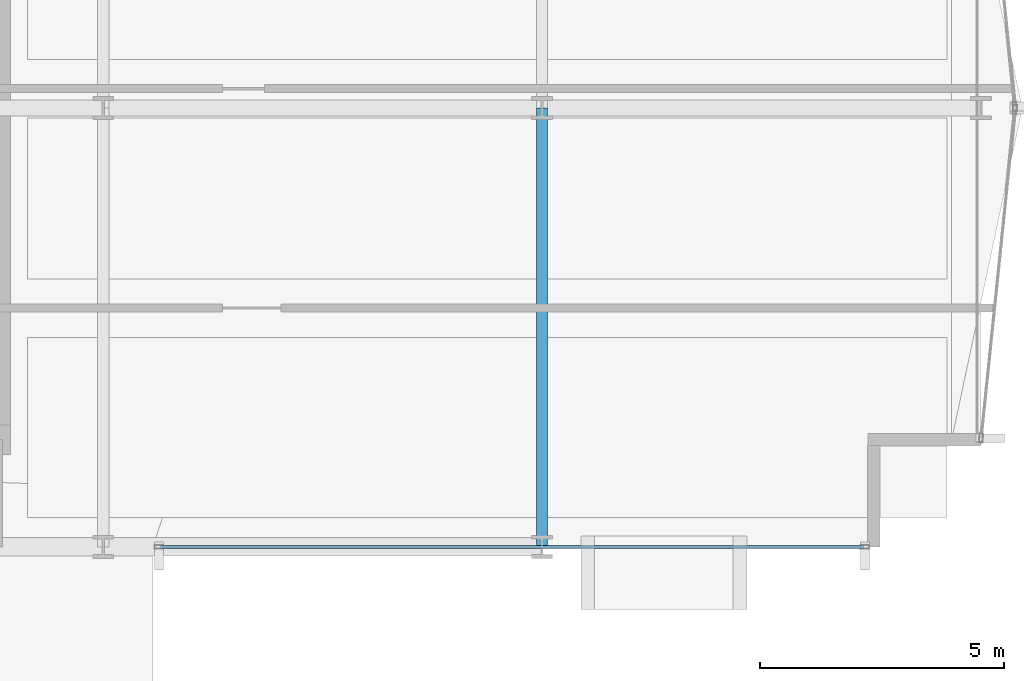
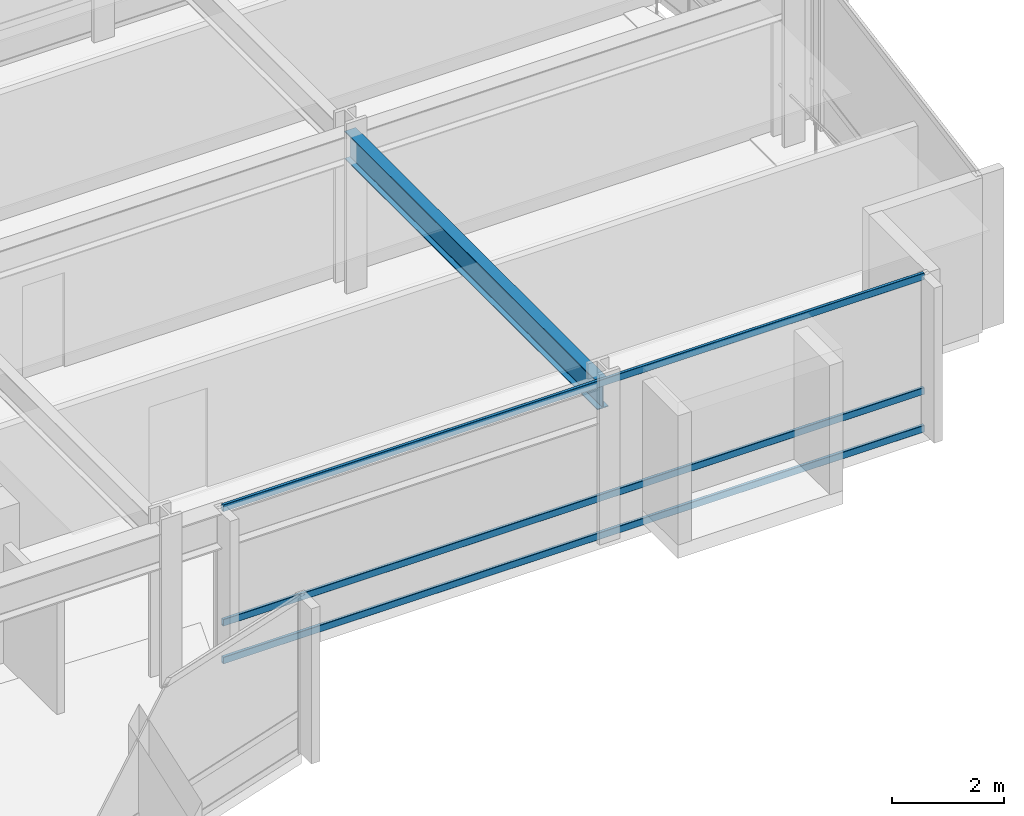
# One storey, part 13 of 35: 3 members, 1 beam, 1 element without a shape of its own.
"""IFC4 building model written with IfcOpenShell, lengths in metres."""

from ifc_helpers import new_model, si_unit, direction, frame, origin, origin_2d, place, context, subcontext, project, spatial, hollow_rectangle, i_section, extrude, material, layer, layer_set, material_profile, profile_set, type_object, element, aggregate, save


model = new_model("IFC4")

# Units and contexts
model_context = context("Model", 3, precision=1e-05, world=origin(), true_north=direction((0.0, 1.0)))
body_context = subcontext(model_context, "Body", "Model", "MODEL_VIEW")
ifc_project = project(units=[si_unit("LENGTHUNIT", "METRE"), si_unit("AREAUNIT", "SQUARE_METRE"), si_unit("VOLUMEUNIT", "CUBIC_METRE"), si_unit("PLANEANGLEUNIT", "RADIAN"), si_unit("MASSUNIT", "GRAM", prefix="KILO")], contexts=[model_context])

# Site, building, storey
site_placement = place(None, origin())
site = spatial("IfcSite", under=ifc_project, at=site_placement, CompositionType="ELEMENT")
building_placement = place(site_placement, origin())
building = spatial("IfcBuilding", under=site, at=building_placement, Name="Solvaryn Broadcast Tower", CompositionType="ELEMENT")
storey_placement = place(building_placement, frame((0.0, 0.0, 80.39990234375)))
storey = spatial("IfcBuildingStorey", under=building, at=storey_placement, Name="L19", CompositionType="ELEMENT", Elevation=80.39990234375)

# Beam
ifc_material_1 = material(Name="Steel ASTM A992 Grade 50", Category="steel")
ifc_material_profile_1 = material_profile(ifc_material_1, i_section(OverallWidth=0.22802734375, OverallDepth=0.60791015625, WebThickness=0.01123046875, FlangeThickness=0.017333984375, FilletRadius=0.014892578125, at=origin_2d()))
ifc_profile_set_1 = profile_set([ifc_material_profile_1], Name="Steel ASTM A992 Grade 50")
beam_type = type_object("IfcBeamType", Name="BM-B2-W24X76", PredefinedType="BEAM", material=ifc_profile_set_1)
beam_placement = place(storey_placement, frame((54.0, 9.0, 3.066162109375), z_axis=(0.0, 1.0, 0.0), x_axis=(-1.0, 0.0, 0.0)))
element("IfcBeam", 1, at=beam_placement, inside=storey, type_object=beam_type, Name="L19 Primary Beam Y (9-18 @ X=54)", PredefinedType="BEAM", context=body_context, shape_type="SweptSolid", body=[
    extrude(i_section(OverallWidth=0.22802734375, OverallDepth=0.60791015625, WebThickness=0.01123046875, FlangeThickness=0.017333984375, FilletRadius=0.014892578125, at=origin_2d()), origin(), (0.0, 0.0, 1.0), 9.0),
])

# Curtain wall, members
ifc_material_2 = material(Name="Aluminium and Terracotta Unitised Curtain Wall", Category="masonry")
ifc_layer = layer(ifc_material_2, 0.199951171875)
ifc_layer_set = layer_set([ifc_layer], Name="CW-SYS2-LOWMID")
curtain_wall_type = type_object("IfcCurtainWallType", Name="CW-SYS2-LOWMID", PredefinedType="NOTDEFINED", material=ifc_layer_set)
curtain_wall_placement = place(storey_placement, origin())
curtain_wall = element("IfcCurtainWall", 2, at=curtain_wall_placement, inside=storey, type_object=curtain_wall_type, Name="L19 Curtain Wall S2", PredefinedType="NOTDEFINED")
ifc_material_3 = material(Name="Anodised Aluminium 6063-T6", Category="aluminium")
ifc_material_profile_2 = material_profile(ifc_material_3, hollow_rectangle(XDim=0.06494140625, YDim=0.14990234375, WallThickness=0.00390625, InnerFilletRadius=0.00390625, OuterFilletRadius=0.008056640625, at=origin_2d()))
ifc_profile_set_2 = profile_set([ifc_material_profile_2], Name="Anodised Aluminium 6063-T6")
member_type = type_object("IfcMemberType", Name="CW-TRN-150", PredefinedType="USERDEFINED", material=ifc_profile_set_2)
member_1_placement = place(storey_placement, frame((46.176025390625, 9.0, 0.030029296875), z_axis=(1.0, 0.0, 0.0), x_axis=(0.0, 1.0, 0.0)))
member_1 = element("IfcMember", 3, at=member_1_placement, type_object=member_type, Name="CWS2 transom 1.1", ObjectType="TRANSOM", PredefinedType="USERDEFINED", context=body_context, shape_type="SweptSolid", body=[
    extrude(hollow_rectangle(XDim=0.06494140625, YDim=0.14990234375, WallThickness=0.00390625, InnerFilletRadius=0.00390625, OuterFilletRadius=0.008056640625, at=origin_2d()), origin(), (0.0, 0.0, 1.0), 14.4140625),
])
member_2_placement = place(storey_placement, frame((46.176025390625, 9.0, 0.85009765625), z_axis=(1.0, 0.0, 0.0), x_axis=(0.0, 1.0, 0.0)))
member_2 = element("IfcMember", 4, at=member_2_placement, type_object=member_type, Name="CWS2 transom 1.2", ObjectType="TRANSOM", PredefinedType="USERDEFINED", context=body_context, shape_type="SweptSolid", body=[
    extrude(hollow_rectangle(XDim=0.06494140625, YDim=0.14990234375, WallThickness=0.00390625, InnerFilletRadius=0.00390625, OuterFilletRadius=0.008056640625, at=origin_2d()), origin(), (0.0, 0.0, 1.0), 14.4140625),
])
member_3_placement = place(storey_placement, frame((46.176025390625, 9.0, 3.340087890625), z_axis=(1.0, 0.0, 0.0), x_axis=(0.0, 1.0, 0.0)))
member_3 = element("IfcMember", 5, at=member_3_placement, type_object=member_type, Name="CWS2 transom 1.3", ObjectType="TRANSOM", PredefinedType="USERDEFINED", context=body_context, shape_type="SweptSolid", body=[
    extrude(hollow_rectangle(XDim=0.06494140625, YDim=0.14990234375, WallThickness=0.00390625, InnerFilletRadius=0.00390625, OuterFilletRadius=0.008056640625, at=origin_2d()), origin(), (0.0, 0.0, 1.0), 14.4140625),
])
aggregate(curtain_wall, [member_1, member_2, member_3])

save(model, "model.ifc")
